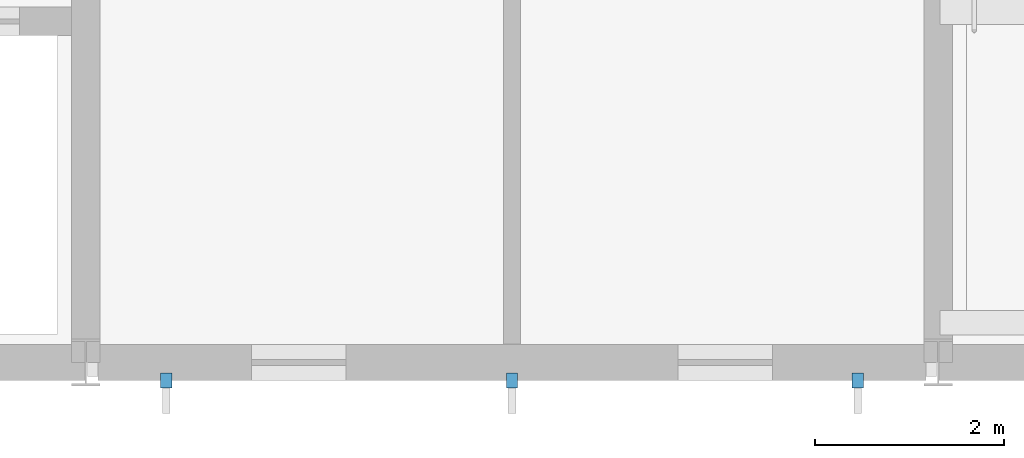
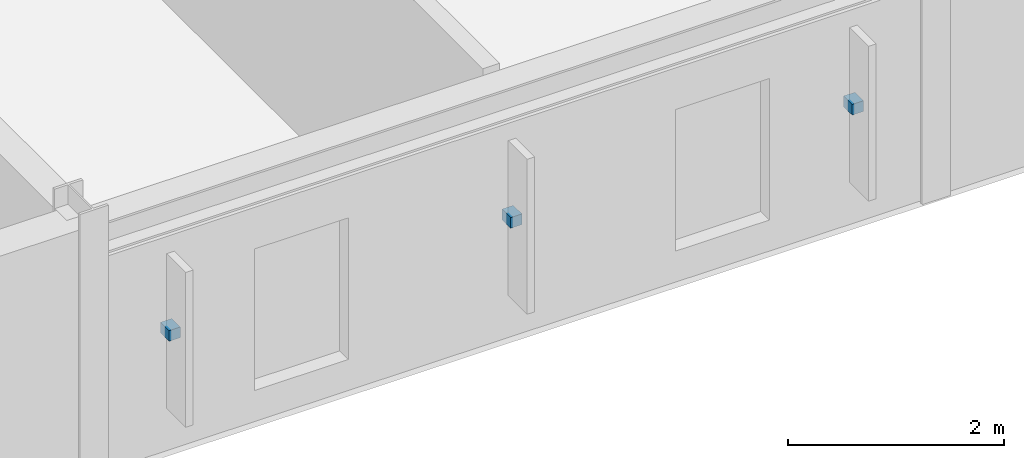
# One storey, part 32 of 37: 3 discrete accessories.
"""IFC4 building model written with IfcOpenShell, lengths in metres."""

from ifc_helpers import new_model, si_unit, direction, frame, origin, origin_2d, place, context, subcontext, project, spatial, rectangle, extrude, material, type_object, element, save


model = new_model("IFC4")

# Units and contexts
model_context = context("Model", 3, precision=1e-05, world=origin(), true_north=direction((0.0, 1.0)))
body_context = subcontext(model_context, "Body", "Model", "MODEL_VIEW")
ifc_project = project(units=[si_unit("LENGTHUNIT", "METRE"), si_unit("AREAUNIT", "SQUARE_METRE"), si_unit("VOLUMEUNIT", "CUBIC_METRE"), si_unit("PLANEANGLEUNIT", "RADIAN"), si_unit("MASSUNIT", "GRAM", prefix="KILO")], contexts=[model_context])

# Site, building, storey
site_placement = place(None, origin())
site = spatial("IfcSite", under=ifc_project, at=site_placement, CompositionType="ELEMENT")
building_placement = place(site_placement, origin())
building = spatial("IfcBuilding", under=site, at=building_placement, Name="Palais des Congres Ocreval", CompositionType="ELEMENT")
storey_placement = place(building_placement, frame((0.0, 0.0, 11.52001953125)))
storey = spatial("IfcBuildingStorey", under=building, at=storey_placement, Name="L03", CompositionType="ELEMENT", Elevation=11.52001953125)

# Discrete accessories
ifc_material = material(Name="Steel S355", Category="steel")
discrete_accessory_type = type_object("IfcDiscreteAccessoryType", Name="Stainless Brise-Soleil Fixing Bracket", PredefinedType="BRACKET", material=ifc_material)
for number, where, z_axis, x_axis, name in (
    (1, (53.14990234375, -0.18994140625, 1.2900390625), (0.0, 0.0, 1.0), (0.0, -1.0, 0.0), "Celosia Fixing Bracket BK01"),
    (2, (49.5, -0.18994140625, 1.2900390625), (0.0, 0.0, 1.0), (0.0, -1.0, 0.0), "Celosia Fixing Bracket BK01"),
    (3, (45.85009765625, -0.18994140625, 1.2900390625), (0.0, 0.0, 1.0), (0.0, -1.0, 0.0), "Celosia Fixing Bracket BK01"),
):
    element("IfcDiscreteAccessory", number, at=place(storey_placement, frame(where, z_axis=z_axis, x_axis=x_axis)), inside=storey, type_object=discrete_accessory_type, Name=name, PredefinedType="BRACKET", context=body_context, shape_type="SweptSolid", body=[
        extrude(rectangle(XDim=0.159912109375, YDim=0.1201171875, at=origin_2d()), origin(), (0.0, 0.0, 1.0), 0.1201171875),
    ])

save(model, "model.ifc")
